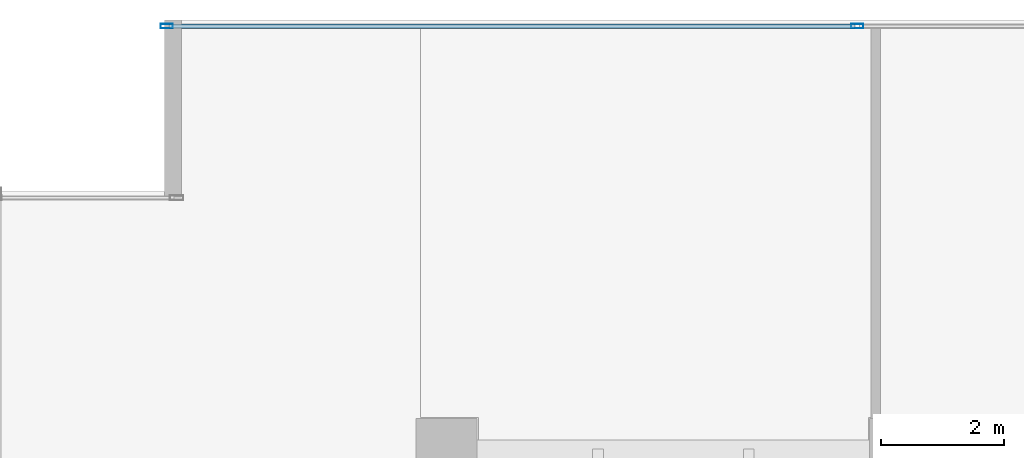
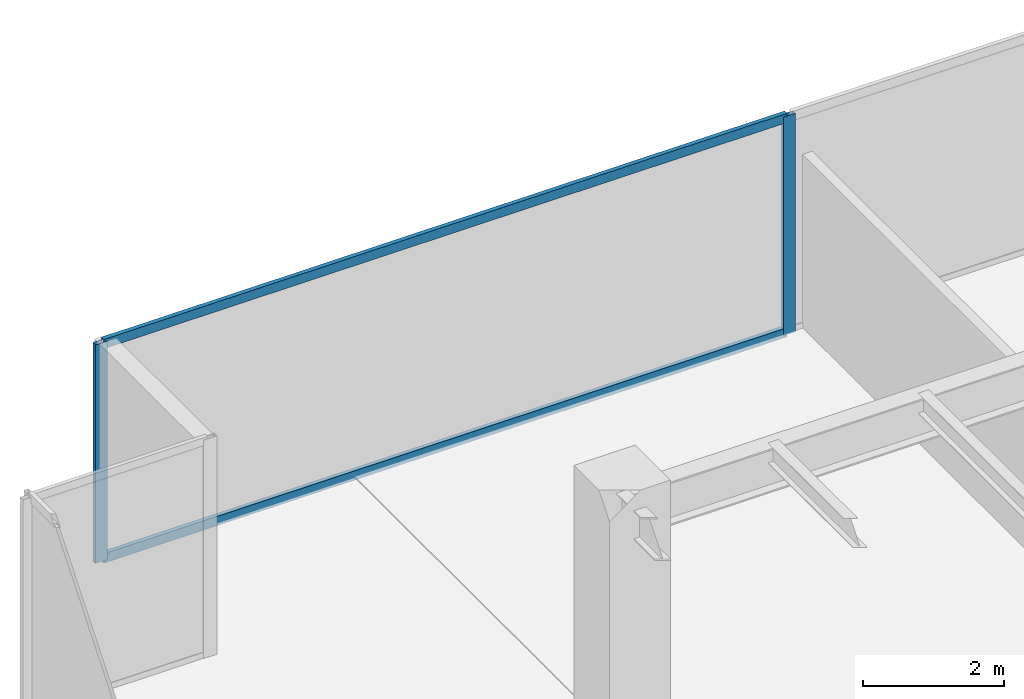
# One storey, part 15 of 36: 4 members, 1 element without a shape of its own.
"""IFC4 building model written with IfcOpenShell, lengths in metres."""

from ifc_helpers import new_model, si_unit, direction, frame, origin, origin_2d, place, context, subcontext, project, spatial, hollow_rectangle, extrude, source, transform, mapped, material, layer, layer_set, material_profile, profile_set, type_object, type_shapes, element, aggregate, save


model = new_model("IFC4")

# Units and contexts
model_context = context("Model", 3, precision=1e-05, world=origin(), true_north=direction((0.0, 1.0)))
body_context = subcontext(model_context, "Body", "Model", "MODEL_VIEW")
ifc_project = project(units=[si_unit("LENGTHUNIT", "METRE"), si_unit("AREAUNIT", "SQUARE_METRE"), si_unit("VOLUMEUNIT", "CUBIC_METRE"), si_unit("PLANEANGLEUNIT", "RADIAN"), si_unit("MASSUNIT", "GRAM", prefix="KILO")], contexts=[model_context])

# Site, building, storey
site_placement = place(None, origin())
site = spatial("IfcSite", under=ifc_project, at=site_placement, CompositionType="ELEMENT")
building_placement = place(site_placement, origin())
building = spatial("IfcBuilding", under=site, at=building_placement, Name="Haelvirn Gate Laboratories", CompositionType="ELEMENT")
storey_placement = place(building_placement, frame((0.0, 0.0, 49.800048828125)))
storey = spatial("IfcBuildingStorey", under=building, at=storey_placement, Name="L12", CompositionType="ELEMENT", Elevation=49.800048828125)

# Curtain wall, members
ifc_material_1 = material(Name="Anodised bronze unitised aluminium & triple low-E glass", Category="aluminium")
ifc_layer = layer(ifc_material_1, 0.18408203125, Name="CW-SYS-2")
ifc_layer_set = layer_set([ifc_layer], Name="Anodised bronze unitised aluminium & triple low-E glass")
curtain_wall_type = type_object("IfcCurtainWallType", Name="CW-SYS-2", PredefinedType="NOTDEFINED", material=ifc_layer_set)
curtain_wall_placement = place(storey_placement, origin())
curtain_wall = element("IfcCurtainWall", 1, at=curtain_wall_placement, inside=storey, type_object=curtain_wall_type, Name="L12 Unitised Curtain Wall CW-L12-P0-E14-1", PredefinedType="NOTDEFINED")
ifc_material_2 = material(Name="Extruded aluminium 6063-T6 (anodised bronze)", Category="aluminium")
ifc_material_profile_1 = material_profile(ifc_material_2, hollow_rectangle(XDim=0.074951171875, YDim=0.199951171875, WallThickness=0.0048828125, at=origin_2d()), Name="CWM-200x75x5")
ifc_profile_set_1 = profile_set([ifc_material_profile_1], Name="Extruded aluminium 6063-T6 (anodised bronze)")
member_type_1 = type_object("IfcMemberType", Name="CWM-T200", PredefinedType="MULLION", material=ifc_profile_set_1)
shared_shape_1 = source(origin(), body_context, "Body", "SweptSolid", [
    extrude(hollow_rectangle(XDim=0.074951171875, YDim=0.199951171875, WallThickness=0.0048828125, at=origin_2d()), origin(), (0.0, 0.0, 1.0), 3.780029296875),
])
type_shapes(member_type_1, [shared_shape_1])
member_1_placement = place(storey_placement, frame((2.83740234375, 48.5, 0.0), z_axis=(0.0, 0.0, 1.0), x_axis=(0.0, 1.0, 0.0)))
member_1 = element("IfcMember", 2, at=member_1_placement, type_object=member_type_1, Name="CW2 mullion 1", PredefinedType="MULLION", context=body_context, shape_type="MappedRepresentation", body=[
    mapped(shared_shape_1, transform((0.0, 0.0, 0.0), scale=1.0)),
])
member_2_placement = place(storey_placement, frame((14.10009765625, 48.5, 0.0), z_axis=(0.0, 0.0, 1.0), x_axis=(0.0, 1.0, 0.0)))
member_2 = element("IfcMember", 3, at=member_2_placement, type_object=member_type_1, Name="CW2 mullion 2", PredefinedType="MULLION", context=body_context, shape_type="MappedRepresentation", body=[
    mapped(shared_shape_1, transform((0.0, 0.0, 0.0), scale=1.0)),
])
ifc_material_profile_2 = material_profile(ifc_material_2, hollow_rectangle(XDim=0.070068359375, YDim=0.159912109375, WallThickness=0.0048828125, at=origin_2d()), Name="CWT-160x70x5")
ifc_profile_set_2 = profile_set([ifc_material_profile_2], Name="Extruded aluminium 6063-T6 (anodised bronze)")
member_type_2 = type_object("IfcMemberType", Name="CWT-T160", PredefinedType="USERDEFINED", material=ifc_profile_set_2)
shared_shape_2 = source(origin(), body_context, "Body", "SweptSolid", [
    extrude(hollow_rectangle(XDim=0.070068359375, YDim=0.159912109375, WallThickness=0.0048828125, at=origin_2d()), origin(), (0.0, 0.0, 1.0), 11.1875),
])
type_shapes(member_type_2, [shared_shape_2])
member_3_placement = place(storey_placement, frame((2.875, 48.5, 0.034912109375), z_axis=(1.0, 0.0, 0.0), x_axis=(0.0, 1.0, 0.0)))
member_3 = element("IfcMember", 4, at=member_3_placement, type_object=member_type_2, Name="CW2 transom 1.1", ObjectType="TRANSOM", PredefinedType="USERDEFINED", context=body_context, shape_type="MappedRepresentation", body=[
    mapped(shared_shape_2, transform((0.0, 0.0, 0.0), scale=1.0)),
])
member_4_placement = place(storey_placement, frame((2.875, 48.5, 3.744873046875), z_axis=(1.0, 0.0, 0.0), x_axis=(0.0, 1.0, 0.0)))
member_4 = element("IfcMember", 5, at=member_4_placement, type_object=member_type_2, Name="CW2 transom 1.2", ObjectType="TRANSOM", PredefinedType="USERDEFINED", context=body_context, shape_type="MappedRepresentation", body=[
    mapped(shared_shape_2, transform((0.0, 0.0, 0.0), scale=1.0)),
])
aggregate(curtain_wall, [member_1, member_2, member_3, member_4])

save(model, "model.ifc")
